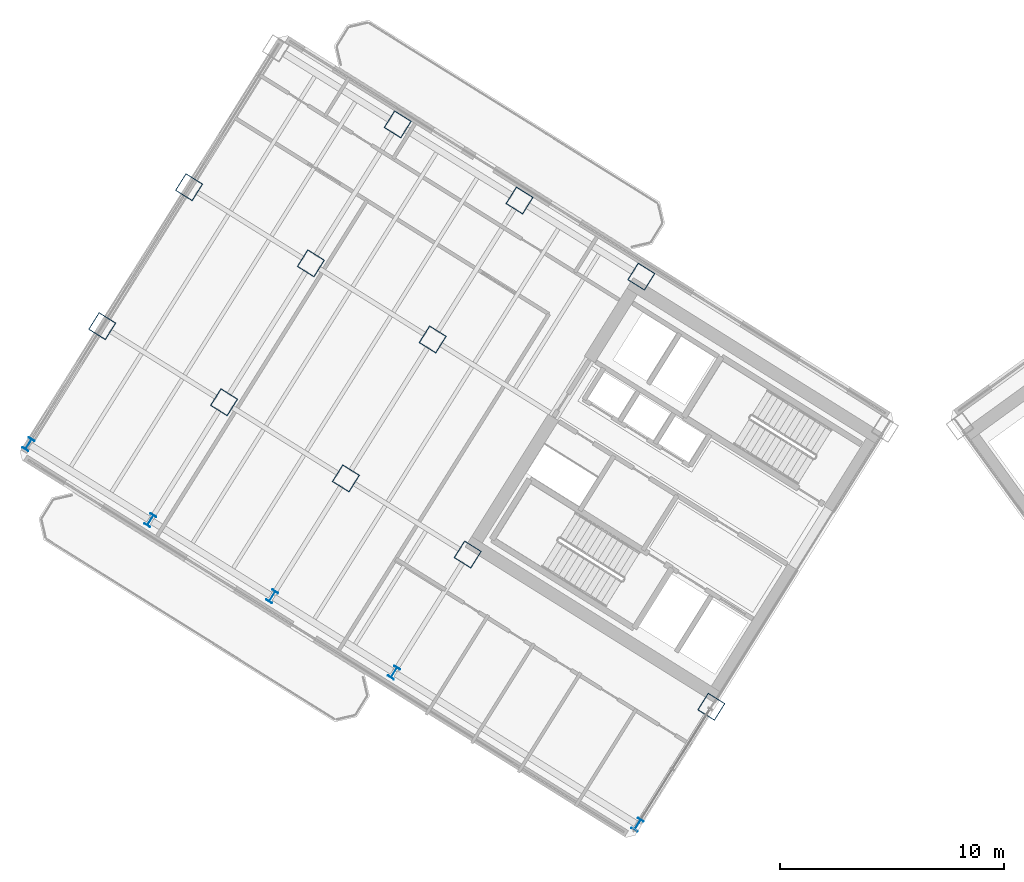
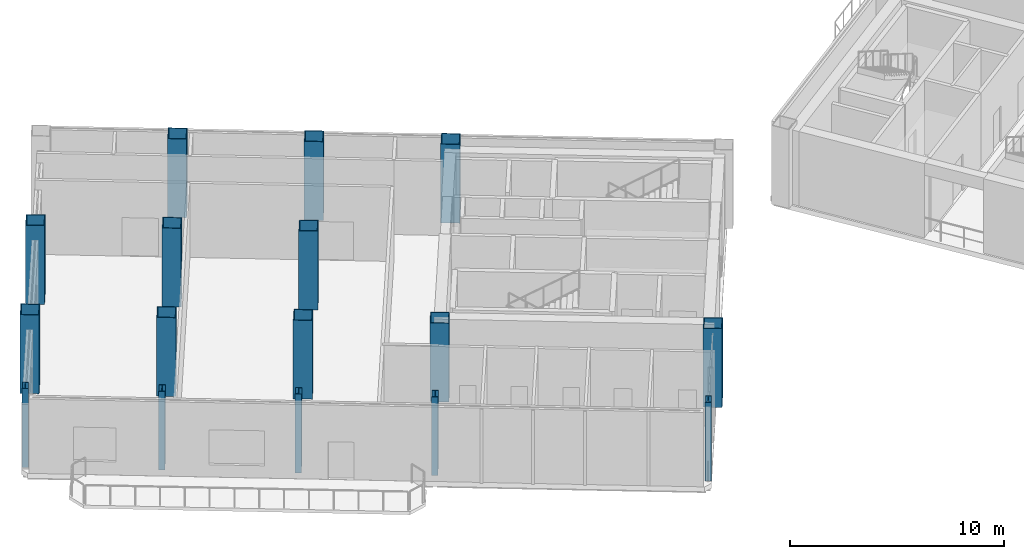
# One storey, part 1 of 18: 16 columns.
"""IFC4 building model written with IfcOpenShell, lengths in metres."""

from ifc_helpers import new_model, si_unit, direction, frame, origin, origin_2d, place, context, subcontext, project, spatial, hollow_rectangle, i_section, extrude, source, transform, mapped, material, material_profile, profile_set, type_object, element, save


model = new_model("IFC4")

# Units and contexts
model_context = context("Model", 3, precision=1e-05, world=origin(), true_north=direction((0.0, 1.0)))
body_context = subcontext(model_context, "Body", "Model", "MODEL_VIEW")
ifc_project = project(units=[si_unit("LENGTHUNIT", "METRE"), si_unit("AREAUNIT", "SQUARE_METRE"), si_unit("VOLUMEUNIT", "CUBIC_METRE"), si_unit("PLANEANGLEUNIT", "RADIAN"), si_unit("MASSUNIT", "GRAM", prefix="KILO")], contexts=[model_context])

# Site, building, storey
site_placement = place(None, origin())
site = spatial("IfcSite", under=ifc_project, at=site_placement, CompositionType="ELEMENT")
building_placement = place(site_placement, origin())
building = spatial("IfcBuilding", under=site, at=building_placement, Name="Tlacorven Tower", CompositionType="ELEMENT")
storey_placement = place(building_placement, frame((0.0, 0.0, 136.199951171875)))
storey = spatial("IfcBuildingStorey", under=building, at=storey_placement, Name="L34", CompositionType="ELEMENT", Elevation=136.199951171875)

# Columns
ifc_material = material(Name="Steel S460M", Category="steel")
ifc_material_profile_1 = material_profile(ifc_material, hollow_rectangle(XDim=0.89990234375, YDim=0.89990234375, WallThickness=0.035888671875, at=origin_2d()), Name="BOX 900X900X36")
ifc_profile_set_1 = profile_set([ifc_material_profile_1], Name="Steel S460M")
column_type_1 = type_object("IfcColumnType", Name="COL-TWR-S2", PredefinedType="COLUMN", material=ifc_profile_set_1)
shared_shape_1 = source(origin(), body_context, "Body", "SweptSolid", [
    extrude(hollow_rectangle(XDim=0.89990234375, YDim=0.89990234375, WallThickness=0.035888671875, at=origin_2d()), origin(), (0.0, 0.0, 1.0), 4.5),
])
for number, where, z_axis, x_axis, name in (
    (1, (33.046142578125, 12.0869140625, 0.0), (0.0, 0.0, 1.0), (-0.848048096156, 0.529919264233, 0.0), "L34 column COL-L34-W1-3"),
    (2, (29.927978515625, 31.25146484375, 0.0), (0.0, 0.0, 1.0), (-0.848048096156, 0.529919264233, 0.0), "L34 column COL-L34-W3-1"),
    (3, (22.191162109375, 18.869873046875, 0.0), (0.0, 0.0, 1.0), (-0.848048096156, 0.529919264233, 0.0), "L34 column COL-L34-W3-3"),
    (4, (24.50048828125, 34.642822265625, 0.0), (0.0, 0.0, 1.0), (-0.848048096156, 0.529919264233, 0.0), "L34 column COL-L34-W4-1"),
    (5, (20.632080078125, 28.4521484375, 0.0), (0.0, 0.0, 1.0), (-0.848048096156, 0.529919264233, 0.0), "L34 column COL-L34-W4-2"),
    (6, (16.763671875, 22.26123046875, 0.0), (0.0, 0.0, 1.0), (-0.848048096156, 0.529919264233, 0.0), "L34 column COL-L34-W4-3"),
    (7, (19.072998046875, 38.034423828125, 0.0), (0.0, 0.0, 1.0), (-0.848048096156, 0.529919264233, 0.0), "L34 column COL-L34-W5-1"),
    (8, (15.20458984375, 31.843505859375, 0.0), (0.0, 0.0, 1.0), (-0.848048096156, 0.529919264233, 0.0), "L34 column COL-L34-W5-2"),
    (9, (11.336181640625, 25.65283203125, 0.0), (0.0, 0.0, 1.0), (-0.848048096156, 0.529919264233, 0.0), "L34 column COL-L34-W5-3"),
    (10, (9.777099609375, 35.235107421875, 0.0), (0.0, 0.0, 1.0), (-0.848048096156, 0.529919264233, 0.0), "L34 column COL-L34-W6-2"),
    (11, (5.90869140625, 29.044189453125, 0.0), (0.0, 0.0, 1.0), (-0.848048096156, 0.529919264233, 0.0), "L34 column COL-L34-W6-3"),
):
    element("IfcColumn", number, at=place(storey_placement, frame(where, z_axis=z_axis, x_axis=x_axis)), inside=storey, type_object=column_type_1, Name=name, PredefinedType="COLUMN", context=body_context, shape_type="MappedRepresentation", body=[
        mapped(shared_shape_1, transform((0.0, 0.0, 0.0), scale=1.0)),
    ])
ifc_material_profile_2 = material_profile(ifc_material, i_section(OverallWidth=0.300048828125, OverallDepth=0.550048828125, WebThickness=0.014892578125, FlangeThickness=0.029052734375, at=origin_2d()), Name="HEB 550")
ifc_profile_set_2 = profile_set([ifc_material_profile_2], Name="Steel S460M")
column_type_2 = type_object("IfcColumnType", Name="COL-TWR-P2", PredefinedType="COLUMN", material=ifc_profile_set_2)
shared_shape_2 = source(origin(), body_context, "Body", "SweptSolid", [
    extrude(i_section(OverallWidth=0.300048828125, OverallDepth=0.550048828125, WebThickness=0.014892578125, FlangeThickness=0.029052734375, at=origin_2d()), origin(), (0.0, 0.0, 1.0), 4.5),
])
for number, where, z_axis, x_axis, name in (
    (12, (29.7607421875, 6.8291015625, 0.0), (0.0, 0.0, 1.0), (-0.848048096156, 0.529919264233, 0.0), "L34 column COL-L34-W1-4"),
    (13, (18.905517578125, 13.612060546875, 0.0), (0.0, 0.0, 1.0), (-0.848048096156, 0.529919264233, 0.0), "L34 column COL-L34-W3-4"),
    (14, (13.47802734375, 17.00341796875, 0.0), (0.0, 0.0, 1.0), (-0.848048096156, 0.529919264233, 0.0), "L34 column COL-L34-W4-4"),
    (15, (8.050537109375, 20.39501953125, 0.0), (0.0, 0.0, 1.0), (-0.848048096156, 0.529919264233, 0.0), "L34 column COL-L34-W5-4"),
    (16, (2.623046875, 23.786376953125, 0.0), (0.0, 0.0, 1.0), (-0.848048096156, 0.529919264233, 0.0), "L34 column COL-L34-W6-4"),
):
    element("IfcColumn", number, at=place(storey_placement, frame(where, z_axis=z_axis, x_axis=x_axis)), inside=storey, type_object=column_type_2, Name=name, PredefinedType="COLUMN", context=body_context, shape_type="MappedRepresentation", body=[
        mapped(shared_shape_2, transform((0.0, 0.0, 0.0), scale=1.0)),
    ])

save(model, "model.ifc")
